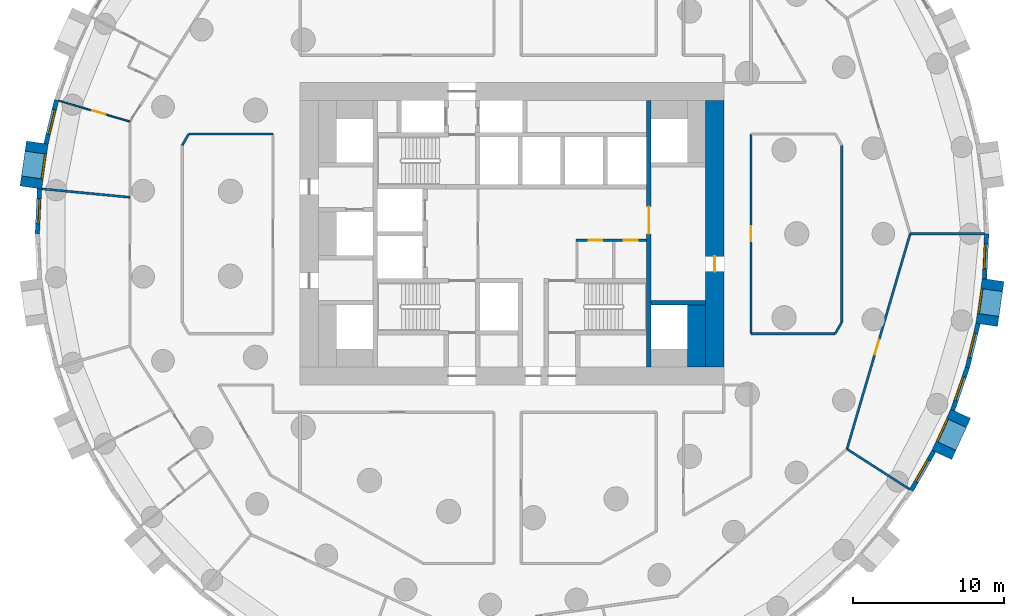
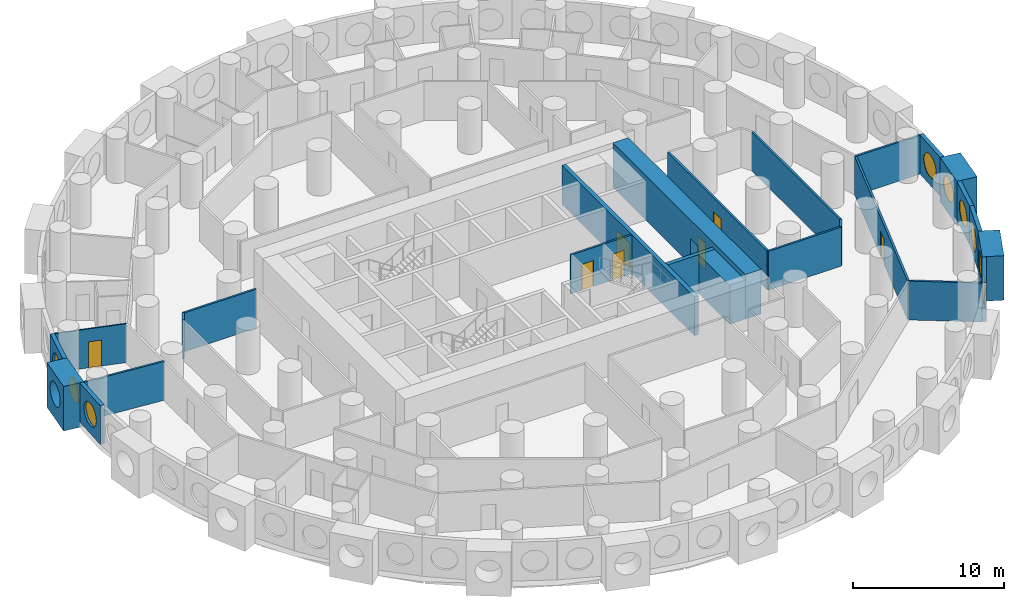
# One storey, part 6 of 12: 25 walls, 9 windows, 7 doors, 16 openings.
"""IFC4 building model written with IfcOpenShell, lengths in metres."""

from ifc_helpers import new_model, si_unit, direction, frame, frame_2d, origin, origin_2d, place, context, subcontext, project, spatial, rectangle, circle, extrude, material, layer, layer_set, type_object, element, fill, save


model = new_model("IFC4")

# Units and contexts
model_context = context("Model", 3, precision=1e-05, world=origin(), true_north=direction((0.0, 1.0)))
body_context = subcontext(model_context, "Body", "Model", "MODEL_VIEW")
ifc_project = project(units=[si_unit("LENGTHUNIT", "METRE"), si_unit("AREAUNIT", "SQUARE_METRE"), si_unit("VOLUMEUNIT", "CUBIC_METRE"), si_unit("PLANEANGLEUNIT", "RADIAN"), si_unit("MASSUNIT", "GRAM", prefix="KILO")], contexts=[model_context])

# Site, building, storey
site_placement = place(None, origin())
site = spatial("IfcSite", under=ifc_project, at=site_placement, CompositionType="ELEMENT")
building_placement = place(site_placement, origin())
building = spatial("IfcBuilding", under=site, at=building_placement, Name="Tracery Tower", CompositionType="ELEMENT")
storey_placement = place(building_placement, frame((0.0, 0.0, 53.39990234375)))
storey = spatial("IfcBuildingStorey", under=building, at=storey_placement, Name="L12", CompositionType="ELEMENT", Elevation=53.39990234375)

# Wall, openings, doors
ifc_material_1 = material(Name="Plasterboard on steel studs", Category="steel")
ifc_layer_1 = layer(ifc_material_1, 0.14990234375)
ifc_layer_set_1 = layer_set([ifc_layer_1], Name="Core room partition 150")
wall_type_1 = type_object("IfcWallType", Name="Core room partition 150", PredefinedType="SOLIDWALL", material=ifc_layer_set_1)
wall_1_placement = place(storey_placement, frame((4.22509765625, -0.425048828125, 0.0), z_axis=(0.0, 0.0, 1.0), x_axis=(1.0, 0.0, 0.0)))
wall_1 = element("IfcWall", 1, at=wall_1_placement, inside=storey, type_object=wall_type_1, Name="L12 slot N", PredefinedType="SOLIDWALL", context=body_context, shape_type="SweptSolid", body=[
    extrude(rectangle(XDim=4.6748046875, YDim=0.14990234375, at=frame_2d((2.33740234375, 0.0))), origin(), (0.0, 0.0, 1.0), 3.150146484375),
])
opening_1_placement = place(wall_1_placement, frame((0.83740234375, 0.0, 0.0)))
opening_1 = element("IfcOpeningElement", 2, at=opening_1_placement, cuts=wall_1, Name="Opening KD27", PredefinedType="OPENING", context=body_context, shape_type="SweptSolid", body=[
    extrude(rectangle(XDim=0.89990234375, YDim=2.10009765625, at=frame_2d((0.449951171875, 1.050048828125))), frame((0.0, 0.074951171875, 0.0), z_axis=(0.0, -1.0, 0.0), x_axis=(1.0, 0.0, 0.0)), (0.0, 0.0, 1.0), 0.14990234375),
])
opening_2_placement = place(wall_1_placement, frame((3.175048828125, 0.0, 0.0)))
opening_2 = element("IfcOpeningElement", 3, at=opening_2_placement, cuts=wall_1, Name="Opening KD21", PredefinedType="OPENING", context=body_context, shape_type="SweptSolid", body=[
    extrude(rectangle(XDim=0.89990234375, YDim=2.10009765625, at=frame_2d((0.449951171875, 1.050048828125))), frame((0.0, 0.074951171875, 0.0), z_axis=(0.0, -1.0, 0.0), x_axis=(1.0, 0.0, 0.0)), (0.0, 0.0, 1.0), 0.14990234375),
])
ifc_material_2 = material(Name="Timber door leaf", Category="wood")
door_type_1 = type_object("IfcDoorType", Name="Core WC door 900", OperationType="NOTDEFINED", PredefinedType="DOOR", material=ifc_material_2)
door_1_placement = place(opening_2_placement, origin())
door_1 = element("IfcDoor", 4, at=door_1_placement, inside=storey, type_object=door_type_1, Name="Core door", OperationType="SINGLE_SWING_LEFT", OverallHeight=2.10009765625, OverallWidth=0.89990234375, PredefinedType="DOOR", context=body_context, shape_type="SweptSolid", body=[
    extrude(rectangle(XDim=0.89990234375, YDim=2.10009765625, at=frame_2d((0.449951171875, 1.050048828125))), frame((0.0, 0.02490234375, 0.0), z_axis=(0.0, -1.0, 0.0), x_axis=(1.0, 0.0, 0.0)), (0.0, 0.0, 1.0), 0.050048828125),
])
fill(opening_2, door_1)
ifc_material_3 = material(Name="Timber door leaf", Category="wood")
door_type_2 = type_object("IfcDoorType", Name="Core store door 900", OperationType="NOTDEFINED", PredefinedType="DOOR", material=ifc_material_3)
door_2_placement = place(opening_1_placement, origin())
door_2 = element("IfcDoor", 5, at=door_2_placement, inside=storey, type_object=door_type_2, Name="Core door", OperationType="SINGLE_SWING_RIGHT", OverallHeight=2.10009765625, OverallWidth=0.89990234375, PredefinedType="DOOR", context=body_context, shape_type="SweptSolid", body=[
    extrude(rectangle(XDim=0.89990234375, YDim=2.10009765625, at=frame_2d((0.449951171875, 1.050048828125))), frame((0.0, 0.02490234375, 0.0), z_axis=(0.0, -1.0, 0.0), x_axis=(1.0, 0.0, 0.0)), (0.0, 0.0, 1.0), 0.050048828125),
])
fill(opening_1, door_2)

# Wall
ifc_material_4 = material(Name="Concrete C60/75", Category="concrete")
ifc_layer_2 = layer(ifc_material_4, 1.199951171875)
ifc_layer_set_2 = layer_set([ifc_layer_2], Name="Core strip wall 1200 C60")
wall_type_2 = type_object("IfcWallType", Name="Core strip wall 1200 C60", PredefinedType="SOLIDWALL", material=ifc_layer_set_2)
wall_2_placement = place(storey_placement, frame((12.199951171875, -8.800048828125, 0.0), z_axis=(0.0, 0.0, 1.0), x_axis=(0.0, 1.0, 0.0)))
element("IfcWall", 6, at=wall_2_placement, inside=storey, type_object=wall_type_2, Name="L12 wing strip +1 -9.4", PredefinedType="SOLIDWALL", context=body_context, shape_type="SweptSolid", body=[
    extrude(rectangle(XDim=4.10009765625, YDim=1.199951171875, at=frame_2d((2.050048828125, 0.0))), origin(), (0.0, 0.0, 1.0), 3.150146484375),
])

# Wall, opening, door
ifc_material_5 = material(Name="Concrete C60/75", Category="concrete")
ifc_layer_3 = layer(ifc_material_5, 1.199951171875)
ifc_layer_set_3 = layer_set([ifc_layer_3], Name="Core wall 1200 C60")
wall_type_3 = type_object("IfcWallType", Name="Core wall 1200 C60", PredefinedType="SOLIDWALL", material=ifc_layer_set_3)
wall_3_placement = place(storey_placement, frame((13.39990234375, -8.800048828125, 0.0), z_axis=(0.0, 0.0, 1.0), x_axis=(0.0, 1.0, 0.0)))
wall_3 = element("IfcWall", 7, at=wall_3_placement, inside=storey, type_object=wall_type_3, Name="L12 outer E", PredefinedType="SOLIDWALL", context=body_context, shape_type="SweptSolid", body=[
    extrude(rectangle(XDim=17.60009765625, YDim=1.199951171875, at=frame_2d((8.800048828125, 0.0))), origin(), (0.0, 0.0, 1.0), 3.60009765625),
])
opening_3_placement = place(wall_3_placement, frame((6.300048828125, 0.0, 0.0)))
opening_3 = element("IfcOpeningElement", 8, at=opening_3_placement, cuts=wall_3, Name="Opening KD18", PredefinedType="OPENING", context=body_context, shape_type="SweptSolid", body=[
    extrude(rectangle(XDim=1.0, YDim=2.10009765625, at=frame_2d((0.5, 1.050048828125))), frame((0.0, 0.60009765625, 0.0), z_axis=(0.0, -1.0, 0.0), x_axis=(1.0, 0.0, 0.0)), (0.0, 0.0, 1.0), 1.199951171875),
])
ifc_material_6 = material(Name="Steel fire door", Category="steel")
door_type_3 = type_object("IfcDoorType", Name="Core exit door 1000", OperationType="NOTDEFINED", PredefinedType="DOOR", material=ifc_material_6)
door_3_placement = place(opening_3_placement, origin())
door_3 = element("IfcDoor", 9, at=door_3_placement, inside=storey, type_object=door_type_3, Name="Core exit door", OperationType="DOUBLE_DOOR_SINGLE_SWING", OverallHeight=2.10009765625, OverallWidth=1.0, PredefinedType="DOOR", context=body_context, shape_type="SweptSolid", body=[
    extrude(rectangle(XDim=1.0, YDim=2.10009765625, at=frame_2d((0.5, 1.050048828125))), frame((0.0, 0.02490234375, 0.0), z_axis=(0.0, -1.0, 0.0), x_axis=(1.0, 0.0, 0.0)), (0.0, 0.0, 1.0), 0.050048828125),
])
fill(opening_3, door_3)

# Wall, opening, window
ifc_material_7 = material(Name="Precast concrete C50/60", Category="concrete")
ifc_layer_4 = layer(ifc_material_7, 1.449951171875)
ifc_layer_set_4 = layer_set([ifc_layer_4], Name="Deep-set bay unit 3000 x 3600, slab edge 450")
wall_type_4 = type_object("IfcWallType", Name="Deep-set bay unit 3000 x 3600, slab edge 450", PredefinedType="ELEMENTEDWALL", material=ifc_layer_set_4)
wall_4_placement = place(storey_placement, frame((-31.37548828125, 6.026611328125, -0.449951171875), z_axis=(0.0, 0.0, 1.0), x_axis=(-0.142332746704, -0.989818866872, 0.0)))
wall_4 = element("IfcWall", 10, at=wall_4_placement, inside=storey, type_object=wall_type_4, Name="Deep-set bay unit 32 at L12", PredefinedType="ELEMENTEDWALL", context=body_context, shape_type="SweptSolid", body=[
    extrude(rectangle(XDim=3.0, YDim=1.449951171875, at=frame_2d((1.5, 0.0))), origin(), (0.0, 0.0, 1.0), 3.60009765625),
])
opening_4_placement = place(wall_4_placement, frame((1.5, 0.0, 2.0)))
opening_4 = element("IfcOpeningElement", 11, at=opening_4_placement, cuts=wall_4, Name="Opening WN1", PredefinedType="OPENING", context=body_context, shape_type="SweptSolid", body=[
    extrude(circle(Radius=0.9000244140625, at=origin_2d()), frame((0.0, 0.73486328125, 0.0), z_axis=(0.0, -1.0, 0.0), x_axis=(1.0, 0.0, 0.0)), (0.0, 0.0, 1.0), 1.469970703125),
])
ifc_material_8 = material(Name="Aluminium frame with tinted double glazing", Category="aluminium")
window_type = type_object("IfcWindowType", Name="Round window 1800", PartitioningType="SINGLE_PANEL", PredefinedType="WINDOW", material=ifc_material_8)
window_1_placement = place(opening_4_placement, origin())
window_1 = element("IfcWindow", 12, at=window_1_placement, inside=storey, type_object=window_type, Name="Round window 32 at L12", OverallHeight=1.800048828125, OverallWidth=1.800048828125, PartitioningType="SINGLE_PANEL", PredefinedType="WINDOW", context=body_context, shape_type="SweptSolid", body=[
    extrude(circle(Radius=0.9000244140625, at=origin_2d()), frame((0.0, 0.69482421875, 0.0), z_axis=(0.0, -1.0, 0.0), x_axis=(1.0, 0.0, 0.0)), (0.0, 0.0, 1.0), 0.10009765625),
])
fill(opening_4, window_1)

wall_5_placement = place(storey_placement, frame((28.40673828125, -14.6220703125, -0.449951171875), z_axis=(0.0, 0.0, 1.0), x_axis=(0.415427028395, 0.909626508012, 0.0)))
wall_5 = element("IfcWall", 13, at=wall_5_placement, inside=storey, type_object=wall_type_4, Name="Deep-set bay unit 62 at L12", PredefinedType="ELEMENTEDWALL", context=body_context, shape_type="SweptSolid", body=[
    extrude(rectangle(XDim=3.000244140625, YDim=1.449951171875, at=frame_2d((1.5, 0.0))), origin(), (0.0, 0.0, 1.0), 3.60009765625),
])
opening_5_placement = place(wall_5_placement, frame((1.5, 0.0, 2.0)))
opening_5 = element("IfcOpeningElement", 14, at=opening_5_placement, cuts=wall_5, Name="Opening WN1", PredefinedType="OPENING", context=body_context, shape_type="SweptSolid", body=[
    extrude(circle(Radius=0.9000244140625, at=origin_2d()), frame((0.0, 0.73486328125, 0.0), z_axis=(0.0, -1.0, 0.0), x_axis=(1.0, 0.0, 0.0)), (0.0, 0.0, 1.0), 1.469970703125),
])
window_2_placement = place(opening_5_placement, origin())
window_2 = element("IfcWindow", 15, at=window_2_placement, inside=storey, type_object=window_type, Name="Round window 62 at L12", OverallHeight=1.800048828125, OverallWidth=1.800048828125, PartitioningType="SINGLE_PANEL", PredefinedType="WINDOW", context=body_context, shape_type="SweptSolid", body=[
    extrude(circle(Radius=0.9000244140625, at=origin_2d()), frame((0.0, 0.69482421875, 0.0), z_axis=(0.0, -1.0, 0.0), x_axis=(1.0, 0.0, 0.0)), (0.0, 0.0, 1.0), 0.10009765625),
])
fill(opening_5, window_2)

wall_6_placement = place(storey_placement, frame((31.37548828125, -6.026611328125, -0.449951171875), z_axis=(0.0, 0.0, 1.0), x_axis=(0.142332746704, 0.989818866872, 0.0)))
wall_6 = element("IfcWall", 16, at=wall_6_placement, inside=storey, type_object=wall_type_4, Name="Deep-set bay unit 65 at L12", PredefinedType="ELEMENTEDWALL", context=body_context, shape_type="SweptSolid", body=[
    extrude(rectangle(XDim=3.0, YDim=1.449951171875, at=frame_2d((1.5, 0.0))), origin(), (0.0, 0.0, 1.0), 3.60009765625),
])
opening_6_placement = place(wall_6_placement, frame((1.5, 0.0, 2.0)))
opening_6 = element("IfcOpeningElement", 17, at=opening_6_placement, cuts=wall_6, Name="Opening WN1", PredefinedType="OPENING", context=body_context, shape_type="SweptSolid", body=[
    extrude(circle(Radius=0.9000244140625, at=origin_2d()), frame((0.0, 0.73486328125, 0.0), z_axis=(0.0, -1.0, 0.0), x_axis=(1.0, 0.0, 0.0)), (0.0, 0.0, 1.0), 1.469970703125),
])
window_3_placement = place(opening_6_placement, origin())
window_3 = element("IfcWindow", 18, at=window_3_placement, inside=storey, type_object=window_type, Name="Round window 65 at L12", OverallHeight=1.800048828125, OverallWidth=1.800048828125, PartitioningType="SINGLE_PANEL", PredefinedType="WINDOW", context=body_context, shape_type="SweptSolid", body=[
    extrude(circle(Radius=0.9000244140625, at=origin_2d()), frame((0.0, 0.69482421875, 0.0), z_axis=(0.0, -1.0, 0.0), x_axis=(1.0, 0.0, 0.0)), (0.0, 0.0, 1.0), 0.10009765625),
])
fill(opening_6, window_3)

ifc_material_9 = material(Name="Precast concrete C50/60", Category="concrete")
ifc_layer_5 = layer(ifc_material_9, 0.300048828125)
ifc_layer_set_5 = layer_set([ifc_layer_5], Name="Facade panel 3000 x 3150")
wall_type_5 = type_object("IfcWallType", Name="Facade panel 3000 x 3150", PredefinedType="SOLIDWALL", material=ifc_layer_set_5)
wall_7_placement = place(storey_placement, frame((-30.103515625, 8.839111328125, 0.0), z_axis=(0.0, 0.0, 1.0), x_axis=(-0.235743081534, -0.971815414319, 0.0)))
wall_7 = element("IfcWall", 19, at=wall_7_placement, inside=storey, type_object=wall_type_5, Name="Facade panel 31 at L12", PredefinedType="SOLIDWALL", context=body_context, shape_type="SweptSolid", body=[
    extrude(rectangle(XDim=2.9794921875, YDim=0.300048828125, at=frame_2d((1.48974609375, 0.0))), origin(), (0.0, 0.0, 1.0), 3.150146484375),
])
opening_7_placement = place(wall_7_placement, frame((1.48974609375, 0.0, 1.5498046875)))
opening_7 = element("IfcOpeningElement", 20, at=opening_7_placement, cuts=wall_7, Name="Opening WN1", PredefinedType="OPENING", context=body_context, shape_type="SweptSolid", body=[
    extrude(circle(Radius=0.9000244140625, at=origin_2d()), frame((0.0, 0.159912109375, 0.0), z_axis=(0.0, -1.0, 0.0), x_axis=(1.0, 0.0, 0.0)), (0.0, 0.0, 1.0), 0.320068359375),
])
window_4_placement = place(opening_7_placement, origin())
window_4 = element("IfcWindow", 21, at=window_4_placement, inside=storey, type_object=window_type, Name="Round window 31 at L12", OverallHeight=1.800048828125, OverallWidth=1.800048828125, PartitioningType="SINGLE_PANEL", PredefinedType="WINDOW", context=body_context, shape_type="SweptSolid", body=[
    extrude(circle(Radius=0.9000244140625, at=origin_2d()), frame((0.0, 0.1201171875, 0.0), z_axis=(0.0, -1.0, 0.0), x_axis=(1.0, 0.0, 0.0)), (0.0, 0.0, 1.0), 0.10009765625),
])
fill(opening_7, window_4)

wall_8_placement = place(storey_placement, frame((-31.232666015625, 2.976318359375, 0.0), z_axis=(0.0, 0.0, 1.0), x_axis=(-0.047604077644, -0.998866283239, 0.0)))
wall_8 = element("IfcWall", 22, at=wall_8_placement, inside=storey, type_object=wall_type_5, Name="Facade panel 33 at L12", PredefinedType="SOLIDWALL", context=body_context, shape_type="SweptSolid", body=[
    extrude(rectangle(XDim=2.979736328125, YDim=0.300048828125, at=frame_2d((1.48974609375, 0.0))), origin(), (0.0, 0.0, 1.0), 3.150146484375),
])
opening_8_placement = place(wall_8_placement, frame((1.48974609375, 0.0, 1.5498046875)))
opening_8 = element("IfcOpeningElement", 23, at=opening_8_placement, cuts=wall_8, Name="Opening WN1", PredefinedType="OPENING", context=body_context, shape_type="SweptSolid", body=[
    extrude(circle(Radius=0.9000244140625, at=origin_2d()), frame((0.0, 0.159912109375, 0.0), z_axis=(0.0, -1.0, 0.0), x_axis=(1.0, 0.0, 0.0)), (0.0, 0.0, 1.0), 0.320068359375),
])
window_5_placement = place(opening_8_placement, origin())
window_5 = element("IfcWindow", 24, at=window_5_placement, inside=storey, type_object=window_type, Name="Round window 33 at L12", OverallHeight=1.800048828125, OverallWidth=1.800048828125, PartitioningType="SINGLE_PANEL", PredefinedType="WINDOW", context=body_context, shape_type="SweptSolid", body=[
    extrude(circle(Radius=0.9000244140625, at=origin_2d()), frame((0.0, 0.1201171875, 0.0), z_axis=(0.0, -1.0, 0.0), x_axis=(1.0, 0.0, 0.0)), (0.0, 0.0, 1.0), 0.10009765625),
])
fill(opening_8, window_5)

wall_9_placement = place(storey_placement, frame((26.393798828125, -16.96240234375, 0.0), z_axis=(0.0, 0.0, 1.0), x_axis=(0.500025049464, 0.866010940986, 0.0)))
wall_9 = element("IfcWall", 25, at=wall_9_placement, inside=storey, type_object=wall_type_5, Name="Facade panel 61 at L12", PredefinedType="SOLIDWALL", context=body_context, shape_type="SweptSolid", body=[
    extrude(rectangle(XDim=2.979736328125, YDim=0.300048828125, at=frame_2d((1.48974609375, 0.0))), origin(), (0.0, 0.0, 1.0), 3.150146484375),
])
opening_9_placement = place(wall_9_placement, frame((1.48974609375, 0.0, 1.5498046875)))
opening_9 = element("IfcOpeningElement", 26, at=opening_9_placement, cuts=wall_9, Name="Opening WN1", PredefinedType="OPENING", context=body_context, shape_type="SweptSolid", body=[
    extrude(circle(Radius=0.9000244140625, at=origin_2d()), frame((0.0, 0.159912109375, 0.0), z_axis=(0.0, -1.0, 0.0), x_axis=(1.0, 0.0, 0.0)), (0.0, 0.0, 1.0), 0.320068359375),
])
window_6_placement = place(opening_9_placement, origin())
window_6 = element("IfcWindow", 27, at=window_6_placement, inside=storey, type_object=window_type, Name="Round window 61 at L12", OverallHeight=1.800048828125, OverallWidth=1.800048828125, PartitioningType="SINGLE_PANEL", PredefinedType="WINDOW", context=body_context, shape_type="SweptSolid", body=[
    extrude(circle(Radius=0.9000244140625, at=origin_2d()), frame((0.0, 0.1201171875, 0.0), z_axis=(0.0, -1.0, 0.0), x_axis=(1.0, 0.0, 0.0)), (0.0, 0.0, 1.0), 0.10009765625),
])
fill(opening_9, window_6)

wall_10_placement = place(storey_placement, frame((29.12890625, -11.655029296875, 0.0), z_axis=(0.0, 0.0, 1.0), x_axis=(0.327071167136, 0.944999709856, 0.0)))
wall_10 = element("IfcWall", 28, at=wall_10_placement, inside=storey, type_object=wall_type_5, Name="Facade panel 63 at L12", PredefinedType="SOLIDWALL", context=body_context, shape_type="SweptSolid", body=[
    extrude(rectangle(XDim=2.979736328125, YDim=0.300048828125, at=frame_2d((1.48974609375, 0.0))), origin(), (0.0, 0.0, 1.0), 3.150146484375),
])
opening_10_placement = place(wall_10_placement, frame((1.48974609375, 0.0, 1.5498046875)))
opening_10 = element("IfcOpeningElement", 29, at=opening_10_placement, cuts=wall_10, Name="Opening WN1", PredefinedType="OPENING", context=body_context, shape_type="SweptSolid", body=[
    extrude(circle(Radius=0.9000244140625, at=origin_2d()), frame((0.0, 0.159912109375, 0.0), z_axis=(0.0, -1.0, 0.0), x_axis=(1.0, 0.0, 0.0)), (0.0, 0.0, 1.0), 0.320068359375),
])
window_7_placement = place(opening_10_placement, origin())
window_7 = element("IfcWindow", 30, at=window_7_placement, inside=storey, type_object=window_type, Name="Round window 63 at L12", OverallHeight=1.800048828125, OverallWidth=1.800048828125, PartitioningType="SINGLE_PANEL", PredefinedType="WINDOW", context=body_context, shape_type="SweptSolid", body=[
    extrude(circle(Radius=0.9000244140625, at=origin_2d()), frame((0.0, 0.1201171875, 0.0), z_axis=(0.0, -1.0, 0.0), x_axis=(1.0, 0.0, 0.0)), (0.0, 0.0, 1.0), 0.10009765625),
])
fill(opening_10, window_7)

wall_11_placement = place(storey_placement, frame((30.103515625, -8.839111328125, 0.0), z_axis=(0.0, 0.0, 1.0), x_axis=(0.235743081534, 0.971815414319, 0.0)))
wall_11 = element("IfcWall", 31, at=wall_11_placement, inside=storey, type_object=wall_type_5, Name="Facade panel 64 at L12", PredefinedType="SOLIDWALL", context=body_context, shape_type="SweptSolid", body=[
    extrude(rectangle(XDim=2.9794921875, YDim=0.300048828125, at=frame_2d((1.48974609375, 0.0))), origin(), (0.0, 0.0, 1.0), 3.150146484375),
])
opening_11_placement = place(wall_11_placement, frame((1.48974609375, 0.0, 1.5498046875)))
opening_11 = element("IfcOpeningElement", 32, at=opening_11_placement, cuts=wall_11, Name="Opening WN1", PredefinedType="OPENING", context=body_context, shape_type="SweptSolid", body=[
    extrude(circle(Radius=0.9000244140625, at=origin_2d()), frame((0.0, 0.159912109375, 0.0), z_axis=(0.0, -1.0, 0.0), x_axis=(1.0, 0.0, 0.0)), (0.0, 0.0, 1.0), 0.320068359375),
])
window_8_placement = place(opening_11_placement, origin())
window_8 = element("IfcWindow", 33, at=window_8_placement, inside=storey, type_object=window_type, Name="Round window 64 at L12", OverallHeight=1.800048828125, OverallWidth=1.800048828125, PartitioningType="SINGLE_PANEL", PredefinedType="WINDOW", context=body_context, shape_type="SweptSolid", body=[
    extrude(circle(Radius=0.9000244140625, at=origin_2d()), frame((0.0, 0.1201171875, 0.0), z_axis=(0.0, -1.0, 0.0), x_axis=(1.0, 0.0, 0.0)), (0.0, 0.0, 1.0), 0.10009765625),
])
fill(opening_11, window_8)

wall_12_placement = place(storey_placement, frame((31.232666015625, -2.976318359375, 0.0), z_axis=(0.0, 0.0, 1.0), x_axis=(0.047604077644, 0.998866283239, 0.0)))
wall_12 = element("IfcWall", 34, at=wall_12_placement, inside=storey, type_object=wall_type_5, Name="Facade panel 66 at L12", PredefinedType="SOLIDWALL", context=body_context, shape_type="SweptSolid", body=[
    extrude(rectangle(XDim=2.979736328125, YDim=0.300048828125, at=frame_2d((1.48974609375, 0.0))), origin(), (0.0, 0.0, 1.0), 3.150146484375),
])
opening_12_placement = place(wall_12_placement, frame((1.48974609375, 0.0, 1.5498046875)))
opening_12 = element("IfcOpeningElement", 35, at=opening_12_placement, cuts=wall_12, Name="Opening WN1", PredefinedType="OPENING", context=body_context, shape_type="SweptSolid", body=[
    extrude(circle(Radius=0.9000244140625, at=origin_2d()), frame((0.0, 0.159912109375, 0.0), z_axis=(0.0, -1.0, 0.0), x_axis=(1.0, 0.0, 0.0)), (0.0, 0.0, 1.0), 0.320068359375),
])
window_9_placement = place(opening_12_placement, origin())
window_9 = element("IfcWindow", 36, at=window_9_placement, inside=storey, type_object=window_type, Name="Round window 66 at L12", OverallHeight=1.800048828125, OverallWidth=1.800048828125, PartitioningType="SINGLE_PANEL", PredefinedType="WINDOW", context=body_context, shape_type="SweptSolid", body=[
    extrude(circle(Radius=0.9000244140625, at=origin_2d()), frame((0.0, 0.1201171875, 0.0), z_axis=(0.0, -1.0, 0.0), x_axis=(1.0, 0.0, 0.0)), (0.0, 0.0, 1.0), 0.10009765625),
])
fill(opening_12, window_9)

# Wall, opening, door
ifc_material_10 = material(Name="Plasterboard on steel studs", Category="steel")
ifc_layer_6 = layer(ifc_material_10, 0.10009765625)
ifc_layer_set_6 = layer_set([ifc_layer_6], Name="Partition 100 stud")
wall_type_6 = type_object("IfcWallType", Name="Partition 100 stud", PredefinedType="PARTITIONING", material=ifc_layer_set_6)
wall_13_placement = place(storey_placement, frame((-29.958984375, 8.797119140625, 0.0), z_axis=(0.0, 0.0, 1.0), x_axis=(0.959478767209, -0.281780934902, 0.0)))
wall_13 = element("IfcWall", 37, at=wall_13_placement, inside=storey, type_object=wall_type_6, Name="Stud partition RA3-088", PredefinedType="PARTITIONING", context=body_context, shape_type="SweptSolid", body=[
    extrude(rectangle(XDim=4.90478515625, YDim=0.10009765625, at=frame_2d((2.452392578125, 0.0))), origin(), (0.0, 0.0, 1.0), 3.150146484375),
])
opening_13_placement = place(wall_13_placement, frame((2.302734375, 0.0, 0.0)))
opening_13 = element("IfcOpeningElement", 38, at=opening_13_placement, cuts=wall_13, Name="Opening RA3-30", PredefinedType="OPENING", context=body_context, shape_type="SweptSolid", body=[
    extrude(rectangle(XDim=0.89990234375, YDim=2.10009765625, at=frame_2d((0.449951171875, 1.050048828125))), frame((0.0, 0.050048828125, 0.0), z_axis=(0.0, -1.0, 0.0), x_axis=(1.0, 0.0, 0.0)), (0.0, 0.0, 1.0), 0.10009765625),
])
ifc_material_11 = material(Name="Timber door leaf", Category="wood")
door_type_4 = type_object("IfcDoorType", Name="Door bedroom 900", OperationType="NOTDEFINED", PredefinedType="DOOR", material=ifc_material_11)
door_4_placement = place(opening_13_placement, origin())
door_4 = element("IfcDoor", 39, at=door_4_placement, inside=storey, type_object=door_type_4, Name="Bedroom door RA3-30", OperationType="SINGLE_SWING_LEFT", OverallHeight=2.10009765625, OverallWidth=0.89990234375, PredefinedType="DOOR", context=body_context, shape_type="SweptSolid", body=[
    extrude(rectangle(XDim=0.89990234375, YDim=2.10009765625, at=frame_2d((0.449951171875, 1.050048828125))), frame((0.0, 0.02490234375, 0.0), z_axis=(0.0, -1.0, 0.0), x_axis=(1.0, 0.0, 0.0)), (0.0, 0.0, 1.0), 0.050048828125),
])
fill(opening_13, door_4)

# Walls
ifc_material_12 = material(Name="Plasterboard on steel studs", Category="steel")
ifc_layer_7 = layer(ifc_material_12, 0.14990234375)
ifc_layer_set_7 = layer_set([ifc_layer_7], Name="Partition 150 acoustic unit wall")
wall_type_7 = type_object("IfcWallType", Name="Partition 150 acoustic unit wall", PredefinedType="PARTITIONING", material=ifc_layer_set_7)
wall_14_placement = place(storey_placement, frame((26.319091796875, 0.0, 0.0), z_axis=(0.0, 0.0, 1.0), x_axis=(1.0, 0.0, 0.0)))
element("IfcWall", 40, at=wall_14_placement, inside=storey, type_object=wall_type_7, Name="Unit wall RA3-061", PredefinedType="PARTITIONING", context=body_context, shape_type="SweptSolid", body=[
    extrude(rectangle(XDim=4.905029296875, YDim=0.14990234375, at=frame_2d((2.45263671875, 0.0))), origin(), (0.0, 0.0, 1.0), 3.150146484375),
])
wall_15_placement = place(storey_placement, frame((-31.0830078125, 2.968017578125, 0.0), z_axis=(0.0, 0.0, 1.0), x_axis=(0.995465070325, -0.095127775983, 0.0)))
element("IfcWall", 41, at=wall_15_placement, inside=storey, type_object=wall_type_7, Name="Unit wall RA3-092", PredefinedType="PARTITIONING", context=body_context, shape_type="SweptSolid", body=[
    extrude(rectangle(XDim=5.856689453125, YDim=0.14990234375, at=frame_2d((2.92822265625, 0.0))), origin(), (0.0, 0.0, 1.0), 3.150146484375),
])
wall_16_placement = place(storey_placement, frame((22.14111328125, -14.22900390625, 0.0), z_axis=(0.0, 0.0, 1.0), x_axis=(0.841265781699, -0.540621757371, 0.0)))
element("IfcWall", 42, at=wall_16_placement, inside=storey, type_object=wall_type_7, Name="Unit wall RA3-102", PredefinedType="PARTITIONING", context=body_context, shape_type="SweptSolid", body=[
    extrude(rectangle(XDim=4.90576171875, YDim=0.14990234375, at=frame_2d((2.452880859375, 0.0))), origin(), (0.0, 0.0, 1.0), 3.150146484375),
])

# Wall, opening, door
ifc_material_13 = material(Name="Plasterboard on steel studs", Category="steel")
ifc_layer_8 = layer(ifc_material_13, 0.14990234375)
ifc_layer_set_8 = layer_set([ifc_layer_8], Name="Partition 150 corridor wall")
wall_type_8 = type_object("IfcWallType", Name="Partition 150 corridor wall", PredefinedType="PARTITIONING", material=ifc_layer_set_8)
wall_17_placement = place(storey_placement, frame((15.800048828125, -6.60400390625, 0.0), z_axis=(0.0, 0.0, 1.0), x_axis=(0.0, 1.0, 0.0)))
wall_17 = element("IfcWall", 43, at=wall_17_placement, inside=storey, type_object=wall_type_8, Name="Corridor wall RA3-012", PredefinedType="PARTITIONING", context=body_context, shape_type="SweptSolid", body=[
    extrude(rectangle(XDim=13.2080078125, YDim=0.14990234375, at=frame_2d((6.60400390625, 0.0))), origin(), (0.0, 0.0, 1.0), 3.150146484375),
])
opening_14_placement = place(wall_17_placement, frame((6.10400390625, 0.0, 0.0)))
opening_14 = element("IfcOpeningElement", 44, at=opening_14_placement, cuts=wall_17, Name="Opening RA3-07", PredefinedType="OPENING", context=body_context, shape_type="SweptSolid", body=[
    extrude(rectangle(XDim=1.0, YDim=2.0400390625, at=frame_2d((0.5, 1.02001953125))), frame((0.0, 0.074951171875, 0.0), z_axis=(0.0, -1.0, 0.0), x_axis=(1.0, 0.0, 0.0)), (0.0, 0.0, 1.0), 0.14990234375),
])
ifc_material_14 = material(Name="Timber door leaf", Category="wood")
door_type_5 = type_object("IfcDoorType", Name="Door communal room 1000", OperationType="NOTDEFINED", PredefinedType="DOOR", material=ifc_material_14)
door_5_placement = place(opening_14_placement, origin())
door_5 = element("IfcDoor", 45, at=door_5_placement, inside=storey, type_object=door_type_5, Name="Communal room door RA3-07", OperationType="SINGLE_SWING_RIGHT", OverallHeight=2.0400390625, OverallWidth=1.0, PredefinedType="DOOR", context=body_context, shape_type="SweptSolid", body=[
    extrude(rectangle(XDim=1.0, YDim=2.0400390625, at=frame_2d((0.5, 1.02001953125))), frame((0.0, 0.02490234375, 0.0), z_axis=(0.0, -1.0, 0.0), x_axis=(1.0, 0.0, 0.0)), (0.0, 0.0, 1.0), 0.050048828125),
])
fill(opening_14, door_5)

# Walls
wall_18_placement = place(storey_placement, frame((15.800048828125, -6.60009765625, 0.0), z_axis=(0.0, 0.0, 1.0), x_axis=(1.0, 0.0, 0.0)))
element("IfcWall", 46, at=wall_18_placement, inside=storey, type_object=wall_type_8, Name="Corridor wall RA3-015", PredefinedType="PARTITIONING", context=body_context, shape_type="SweptSolid", body=[
    extrude(rectangle(XDim=5.56396484375, YDim=0.14990234375, at=frame_2d((2.781982421875, 0.0))), origin(), (0.0, 0.0, 1.0), 3.150146484375),
])
wall_19_placement = place(storey_placement, frame((21.364013671875, -6.60009765625, 0.0), z_axis=(0.0, 0.0, 1.0), x_axis=(0.500277597875, 0.865865073245, 0.0)))
element("IfcWall", 47, at=wall_19_placement, inside=storey, type_object=wall_type_8, Name="Corridor wall RA3-016", PredefinedType="PARTITIONING", context=body_context, shape_type="SweptSolid", body=[
    extrude(rectangle(XDim=0.87548828125, YDim=0.14990234375, at=frame_2d((0.437744140625, 0.0))), origin(), (0.0, 0.0, 1.0), 3.150146484375),
])
wall_20_placement = place(storey_placement, frame((21.802001953125, -5.842041015625, 0.0), z_axis=(0.0, 0.0, 1.0), x_axis=(0.0, 1.0, 0.0)))
element("IfcWall", 48, at=wall_20_placement, inside=storey, type_object=wall_type_8, Name="Corridor wall RA3-017", PredefinedType="PARTITIONING", context=body_context, shape_type="SweptSolid", body=[
    extrude(rectangle(XDim=11.68408203125, YDim=0.14990234375, at=frame_2d((5.842041015625, 0.0))), origin(), (0.0, 0.0, 1.0), 3.150146484375),
])

# Wall, opening, door
wall_21_placement = place(storey_placement, frame((22.14111328125, -14.22900390625, 0.0), z_axis=(0.0, 0.0, 1.0), x_axis=(0.281730446162, 0.959493593363, 0.0)))
wall_21 = element("IfcWall", 49, at=wall_21_placement, inside=storey, type_object=wall_type_8, Name="Corridor wall RA3-024", PredefinedType="PARTITIONING", context=body_context, shape_type="SweptSolid", body=[
    extrude(rectangle(XDim=14.82958984375, YDim=0.14990234375, at=frame_2d((7.414794921875, 0.0))), origin(), (0.0, 0.0, 1.0), 3.150146484375),
])
opening_15_placement = place(wall_21_placement, frame((6.5146484375, 0.0, 0.0)))
opening_15 = element("IfcOpeningElement", 50, at=opening_15_placement, cuts=wall_21, Name="Opening RA3-41", PredefinedType="OPENING", context=body_context, shape_type="SweptSolid", body=[
    extrude(rectangle(XDim=1.0, YDim=2.0400390625, at=frame_2d((0.5, 1.02001953125))), frame((0.0, 0.074951171875, 0.0), z_axis=(0.0, -1.0, 0.0), x_axis=(1.0, 0.0, 0.0)), (0.0, 0.0, 1.0), 0.14990234375),
])
door_6_placement = place(opening_15_placement, origin())
door_6 = element("IfcDoor", 51, at=door_6_placement, inside=storey, type_object=door_type_5, Name="Communal room door RA3-41", OperationType="SINGLE_SWING_RIGHT", OverallHeight=2.0400390625, OverallWidth=1.0, PredefinedType="DOOR", context=body_context, shape_type="SweptSolid", body=[
    extrude(rectangle(XDim=1.0, YDim=2.0400390625, at=frame_2d((0.5, 1.02001953125))), frame((0.0, 0.02490234375, 0.0), z_axis=(0.0, -1.0, 0.0), x_axis=(1.0, 0.0, 0.0)), (0.0, 0.0, 1.0), 0.050048828125),
])
fill(opening_15, door_6)

# Walls
wall_22_placement = place(storey_placement, frame((-21.364013671875, 6.60009765625, 0.0), z_axis=(0.0, 0.0, 1.0), x_axis=(1.0, 0.0, 0.0)))
element("IfcWall", 52, at=wall_22_placement, inside=storey, type_object=wall_type_8, Name="Corridor wall RA3-038", PredefinedType="PARTITIONING", context=body_context, shape_type="SweptSolid", body=[
    extrude(rectangle(XDim=5.56396484375, YDim=0.14990234375, at=frame_2d((2.781982421875, 0.0))), origin(), (0.0, 0.0, 1.0), 3.150146484375),
])
wall_23_placement = place(storey_placement, frame((-21.802001953125, 5.842041015625, 0.0), z_axis=(0.0, 0.0, 1.0), x_axis=(0.500277597875, 0.865865073245, 0.0)))
element("IfcWall", 53, at=wall_23_placement, inside=storey, type_object=wall_type_8, Name="Corridor wall RA3-039", PredefinedType="PARTITIONING", context=body_context, shape_type="SweptSolid", body=[
    extrude(rectangle(XDim=0.87548828125, YDim=0.14990234375, at=frame_2d((0.437744140625, 0.0))), origin(), (0.0, 0.0, 1.0), 3.150146484375),
])
ifc_material_15 = material(Name="Concrete C60/75", Category="concrete")
ifc_layer_9 = layer(ifc_material_15, 0.300048828125)
ifc_layer_set_9 = layer_set([ifc_layer_9], Name="Shaft wall 300 C60")
wall_type_9 = type_object("IfcWallType", Name="Shaft wall 300 C60", PredefinedType="SOLIDWALL", material=ifc_layer_set_9)
wall_24_placement = place(storey_placement, frame((9.199951171875, -4.550048828125, 0.0), z_axis=(0.0, 0.0, 1.0), x_axis=(1.0, 0.0, 0.0)))
element("IfcWall", 54, at=wall_24_placement, inside=storey, type_object=wall_type_9, Name="L12 wing shaft wall +1 -4.55", PredefinedType="SOLIDWALL", context=body_context, shape_type="SweptSolid", body=[
    extrude(rectangle(XDim=3.60009765625, YDim=0.300048828125, at=frame_2d((1.800048828125, 0.0))), origin(), (0.0, 0.0, 1.0), 3.150146484375),
])

# Wall, opening, door
ifc_material_16 = material(Name="Concrete C60/75", Category="concrete")
ifc_layer_10 = layer(ifc_material_16, 0.300048828125)
ifc_layer_set_10 = layer_set([ifc_layer_10], Name="Stair wall 300 C60")
wall_type_10 = type_object("IfcWallType", Name="Stair wall 300 C60", PredefinedType="SOLIDWALL", material=ifc_layer_set_10)
wall_25_placement = place(storey_placement, frame((9.050048828125, -8.800048828125, 0.0), z_axis=(0.0, 0.0, 1.0), x_axis=(0.0, 1.0, 0.0)))
wall_25 = element("IfcWall", 55, at=wall_25_placement, inside=storey, type_object=wall_type_10, Name="L12 F wall +9", PredefinedType="SOLIDWALL", context=body_context, shape_type="SweptSolid", body=[
    extrude(rectangle(XDim=17.60009765625, YDim=0.300048828125, at=frame_2d((8.800048828125, 0.0))), origin(), (0.0, 0.0, 1.0), 3.150146484375),
])
opening_16_placement = place(wall_25_placement, frame((8.800048828125, 0.0, 0.0)))
opening_16 = element("IfcOpeningElement", 56, at=opening_16_placement, cuts=wall_25, Name="Opening KD13", PredefinedType="OPENING", context=body_context, shape_type="SweptSolid", body=[
    extrude(rectangle(XDim=1.800048828125, YDim=2.10009765625, at=frame_2d((0.89990234375, 1.050048828125))), frame((0.0, 0.14990234375, 0.0), z_axis=(0.0, -1.0, 0.0), x_axis=(1.0, 0.0, 0.0)), (0.0, 0.0, 1.0), 0.300048828125),
])
ifc_material_17 = material(Name="Steel fire door", Category="steel")
door_type_6 = type_object("IfcDoorType", Name="Core exit door 1800 double", OperationType="NOTDEFINED", PredefinedType="DOOR", material=ifc_material_17)
door_7_placement = place(opening_16_placement, origin())
door_7 = element("IfcDoor", 57, at=door_7_placement, inside=storey, type_object=door_type_6, Name="Core exit door", OperationType="DOUBLE_DOOR_SINGLE_SWING", OverallHeight=2.10009765625, OverallWidth=1.800048828125, PredefinedType="DOOR", context=body_context, shape_type="SweptSolid", body=[
    extrude(rectangle(XDim=1.800048828125, YDim=2.10009765625, at=frame_2d((0.89990234375, 1.050048828125))), frame((0.0, 0.02490234375, 0.0), z_axis=(0.0, -1.0, 0.0), x_axis=(1.0, 0.0, 0.0)), (0.0, 0.0, 1.0), 0.050048828125),
])
fill(opening_16, door_7)

save(model, "model.ifc")
